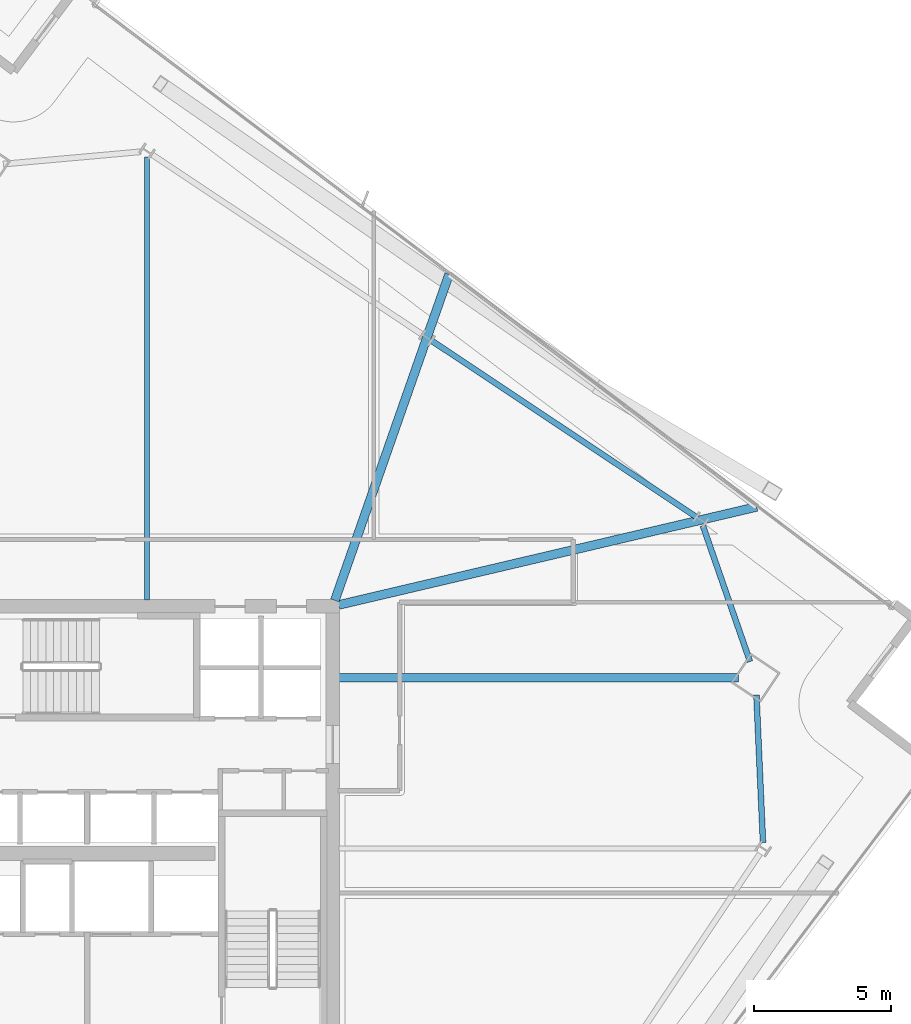
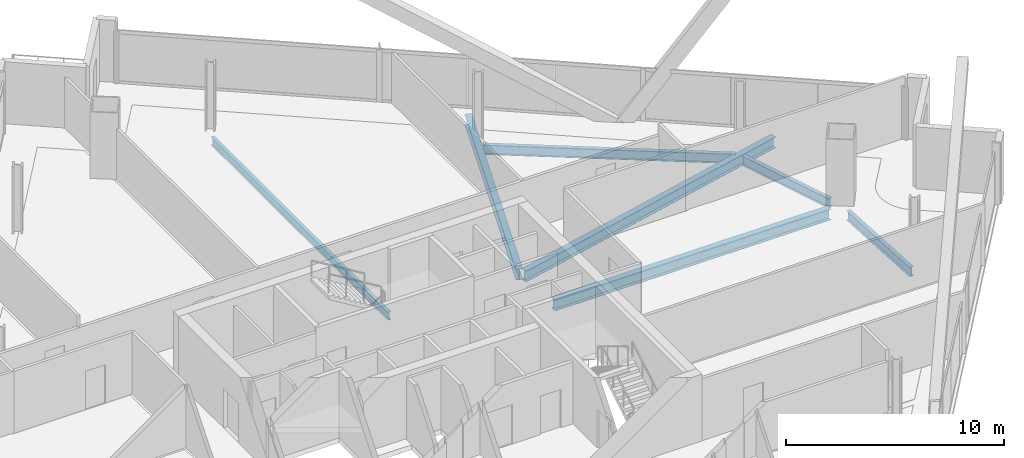
# One storey, part 21 of 34: 7 beams.
"""IFC4 building model written with IfcOpenShell, lengths in metres."""

from ifc_helpers import new_model, si_unit, direction, frame, origin, origin_2d, place, context, subcontext, project, spatial, i_section, extrude, material, material_profile, profile_set, type_object, element, save


model = new_model("IFC4")

# Units and contexts
model_context = context("Model", 3, precision=1e-05, world=origin(), true_north=direction((0.0, 1.0)))
body_context = subcontext(model_context, "Body", "Model", "MODEL_VIEW")
ifc_project = project(units=[si_unit("LENGTHUNIT", "METRE"), si_unit("AREAUNIT", "SQUARE_METRE"), si_unit("VOLUMEUNIT", "CUBIC_METRE"), si_unit("PLANEANGLEUNIT", "RADIAN"), si_unit("MASSUNIT", "GRAM", prefix="KILO")], contexts=[model_context])

# Site, building, storey
site_placement = place(None, origin())
site = spatial("IfcSite", under=ifc_project, at=site_placement, CompositionType="ELEMENT")
building_placement = place(site_placement, origin())
building = spatial("IfcBuilding", under=site, at=building_placement, Name="Haldenkirk Collegiate Tower", CompositionType="ELEMENT")
storey_placement = place(building_placement, frame((0.0, 0.0, 205.949951171875)))
storey = spatial("IfcBuildingStorey", under=building, at=storey_placement, Name="L51", CompositionType="ELEMENT", Elevation=205.949951171875)

# Beams
ifc_material = material(Name="Steel ASTM A992 Grade 50", Category="steel")
ifc_material_profile_1 = material_profile(ifc_material, i_section(OverallWidth=0.324951171875, OverallDepth=0.615966796875, WebThickness=0.013916015625, FlangeThickness=0.021484375, at=origin_2d()), Name="W24X117")
ifc_profile_set_1 = profile_set([ifc_material_profile_1], Name="Steel ASTM A992 Grade 50")
beam_type_1 = type_object("IfcBeamType", Name="BM-GIRDER-W24X117", PredefinedType="BEAM", material=ifc_profile_set_1)
beam_1_placement = place(storey_placement, frame((59.856201171875, 31.3837890625, -0.587890625), z_axis=(-1.0, 0.0, 0.0), x_axis=(0.0, -1.0, 0.0)))
element("IfcBeam", 1, at=beam_1_placement, inside=storey, type_object=beam_type_1, Name="L51 primary floor girder 02", PredefinedType="BEAM", context=body_context, shape_type="SweptSolid", body=[
    extrude(i_section(OverallWidth=0.324951171875, OverallDepth=0.615966796875, WebThickness=0.013916015625, FlangeThickness=0.021484375, at=origin_2d()), origin(), (0.0, 0.0, 1.0), 14.626220703125),
])
beam_2_placement = place(storey_placement, frame((60.52490234375, 37.643310546875, -0.587890625), z_axis=(-0.973550644349, -0.228471317427, 0.0), x_axis=(0.228471317427, -0.973550644349, 0.0)))
element("IfcBeam", 2, at=beam_2_placement, inside=storey, type_object=beam_type_1, Name="L51 primary floor girder 08", PredefinedType="BEAM", context=body_context, shape_type="SweptSolid", body=[
    extrude(i_section(OverallWidth=0.324951171875, OverallDepth=0.615966796875, WebThickness=0.013916015625, FlangeThickness=0.021484375, at=origin_2d()), origin(), (0.0, 0.0, 1.0), 15.716796875),
])
beam_3_placement = place(storey_placement, frame((49.26025390625, 46.16259765625, -0.587890625), z_axis=(-0.330588407984, -0.943775028546, 0.0), x_axis=(0.943775028546, -0.330588407984, 0.0)))
element("IfcBeam", 3, at=beam_3_placement, inside=storey, type_object=beam_type_1, Name="L51 primary floor girder 09", PredefinedType="BEAM", context=body_context, shape_type="SweptSolid", body=[
    extrude(i_section(OverallWidth=0.324951171875, OverallDepth=0.615966796875, WebThickness=0.013916015625, FlangeThickness=0.021484375, at=origin_2d()), origin(), (0.0, 0.0, 1.0), 12.6572265625),
])
ifc_material_profile_2 = material_profile(ifc_material, i_section(OverallWidth=0.18994140625, OverallDepth=0.45703125, WebThickness=0.009033203125, FlangeThickness=0.014404296875, at=origin_2d()), Name="W18X50")
ifc_profile_set_2 = profile_set([ifc_material_profile_2], Name="Steel ASTM A992 Grade 50")
beam_type_2 = type_object("IfcBeamType", Name="BM-JOIST-W18X50", PredefinedType="JOIST", material=ifc_profile_set_2)
beam_4_placement = place(storey_placement, frame((38.192626953125, 50.451416015625, -0.508544921875), z_axis=(0.0, -1.0, 0.0), x_axis=(1.0, 0.0, 0.0)))
element("IfcBeam", 4, at=beam_4_placement, inside=storey, type_object=beam_type_2, Name="L51 composite floor joist 10", PredefinedType="JOIST", context=body_context, shape_type="SweptSolid", body=[
    extrude(i_section(OverallWidth=0.18994140625, OverallDepth=0.45703125, WebThickness=0.009033203125, FlangeThickness=0.014404296875, at=origin_2d()), origin(), (0.0, 0.0, 1.0), 16.221435546875),
])
ifc_material_profile_3 = material_profile(ifc_material, i_section(OverallWidth=0.2099609375, OverallDepth=0.537109375, WebThickness=0.010986328125, FlangeThickness=0.017333984375, at=origin_2d()), Name="W21X68")
ifc_profile_set_3 = profile_set([ifc_material_profile_3], Name="Steel ASTM A992 Grade 50")
beam_type_3 = type_object("IfcBeamType", Name="BM-SPANDREL-W21X68", PredefinedType="SPANDREL", material=ifc_profile_set_3)
beam_5_placement = place(storey_placement, frame((60.756103515625, 25.34326171875, -0.54833984375), z_axis=(-0.044622535616, 0.999003918569, 0.0), x_axis=(-0.999003918569, -0.044622535616, 0.0)))
element("IfcBeam", 5, at=beam_5_placement, inside=storey, type_object=beam_type_3, Name="L51 perimeter spandrel beam 04", PredefinedType="SPANDREL", context=body_context, shape_type="SweptSolid", body=[
    extrude(i_section(OverallWidth=0.2099609375, OverallDepth=0.537109375, WebThickness=0.010986328125, FlangeThickness=0.017333984375, at=origin_2d()), origin(), (0.0, 0.0, 1.0), 5.41650390625),
])
beam_6_placement = place(storey_placement, frame((60.27978515625, 31.97900390625, -0.54833984375), z_axis=(-0.327807295579, 0.944744609387, 0.0), x_axis=(-0.944744609387, -0.327807295579, 0.0)))
element("IfcBeam", 6, at=beam_6_placement, inside=storey, type_object=beam_type_3, Name="L51 perimeter spandrel beam 05", PredefinedType="SPANDREL", context=body_context, shape_type="SweptSolid", body=[
    extrude(i_section(OverallWidth=0.2099609375, OverallDepth=0.537109375, WebThickness=0.010986328125, FlangeThickness=0.017333984375, at=origin_2d()), origin(), (0.0, 0.0, 1.0), 5.270751953125),
])
beam_7_placement = place(storey_placement, frame((58.30029296875, 37.28369140625, -0.54833984375), z_axis=(-0.832431545828, 0.554127892738, 0.0), x_axis=(-0.554127892738, -0.832431545828, 0.0)))
element("IfcBeam", 7, at=beam_7_placement, inside=storey, type_object=beam_type_3, Name="L51 perimeter spandrel beam 06", PredefinedType="SPANDREL", context=body_context, shape_type="SweptSolid", body=[
    extrude(i_section(OverallWidth=0.2099609375, OverallDepth=0.537109375, WebThickness=0.010986328125, FlangeThickness=0.017333984375, at=origin_2d()), origin(), (0.0, 0.0, 1.0), 11.619140625),
])

save(model, "model.ifc")
